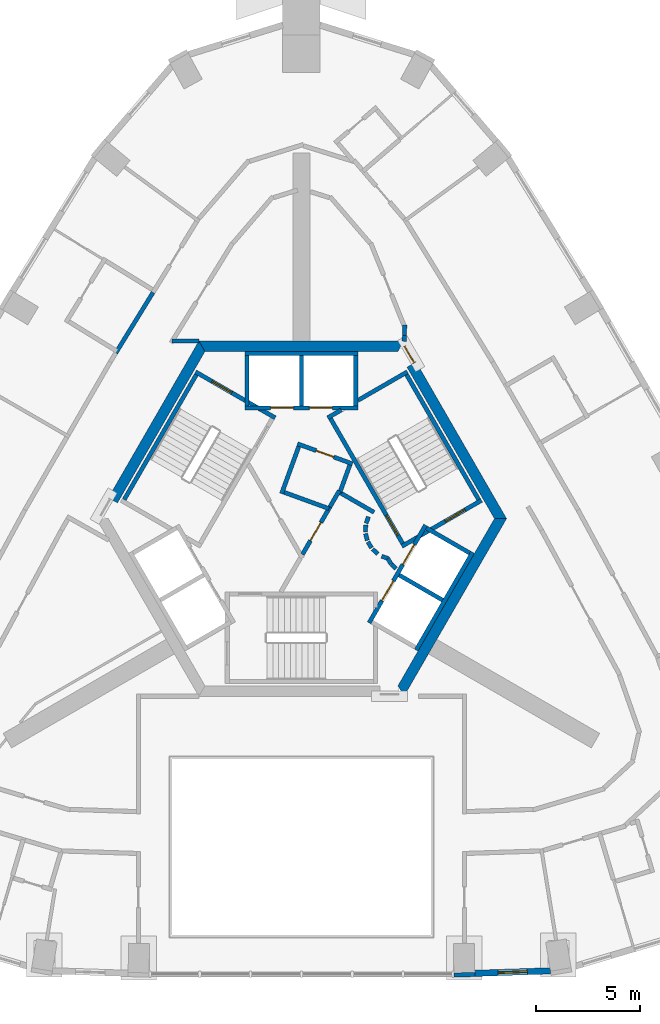
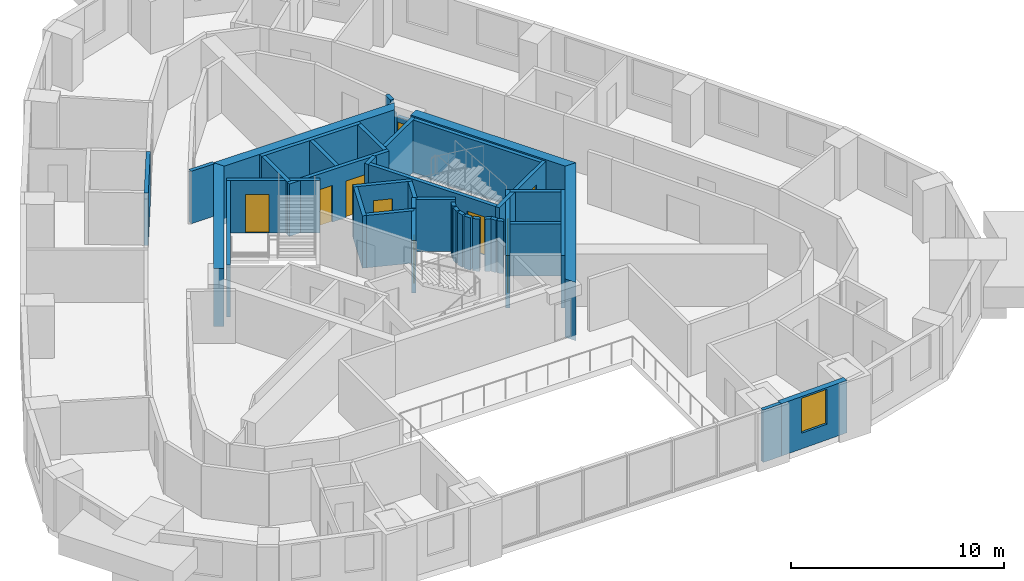
# One storey, part 5 of 10: 42 walls, 10 doors, 1 window, 11 openings.
"""IFC4 building model written with IfcOpenShell, lengths in metres."""

from ifc_helpers import new_model, si_unit, direction, frame, frame_2d, origin, place, context, subcontext, project, spatial, polyline, rectangle, outline, extrude, material, layer, layer_set, type_object, element, fill, save


model = new_model("IFC4")

# Units and contexts
model_context = context("Model", 3, precision=1e-05, world=origin(), true_north=direction((0.0, 1.0)))
body_context = subcontext(model_context, "Body", "Model", "MODEL_VIEW")
ifc_project = project(units=[si_unit("LENGTHUNIT", "METRE"), si_unit("AREAUNIT", "SQUARE_METRE"), si_unit("VOLUMEUNIT", "CUBIC_METRE"), si_unit("PLANEANGLEUNIT", "RADIAN"), si_unit("MASSUNIT", "GRAM", prefix="KILO")], contexts=[model_context])

# Site, building, storey
site_placement = place(None, origin())
site = spatial("IfcSite", under=ifc_project, at=site_placement, CompositionType="ELEMENT")
building_placement = place(site_placement, origin())
building = spatial("IfcBuilding", under=site, at=building_placement, Name="Entoto Arch Interchange Tower", CompositionType="ELEMENT")
storey_placement = place(building_placement, frame((0.0, 0.0, 322.39990234375)))
storey = spatial("IfcBuildingStorey", under=building, at=storey_placement, Name="L76", CompositionType="ELEMENT", Elevation=322.39990234375)

# Wall, opening, door
ifc_material_1 = material(Name="Reinforced concrete C40/50", Category="concrete")
ifc_layer_1 = layer(ifc_material_1, 0.199951171875)
ifc_layer_set_1 = layer_set([ifc_layer_1], Name="Reinforced concrete C40/50")
wall_type_1 = type_object("IfcWallType", Name="CORE GAP INFILL WALL", PredefinedType="PARTITIONING", material=ifc_layer_set_1)
wall_1_placement = place(storey_placement, frame((5.39892578125, 9.947998046875, 0.0), z_axis=(0.0, 0.0, 1.0), x_axis=(-0.499882215713, 0.866093395895, 0.0)))
wall_1 = element("IfcWall", 1, at=wall_1_placement, inside=storey, type_object=wall_type_1, Name="wall:L76:gap2", PredefinedType="PARTITIONING", context=body_context, shape_type="SweptSolid", body=[
    extrude(rectangle(XDim=0.926025390625, YDim=0.199951171875, at=frame_2d((0.462890625, 0.0))), origin(), (0.0, 0.0, 1.0), 2.400146484375),
])
opening_1_placement = place(wall_1_placement, frame((0.01708984375, 0.0, 0.0)))
opening_1 = element("IfcOpeningElement", 2, at=opening_1_placement, cuts=wall_1, Name="Opening L76-D92", PredefinedType="OPENING", context=body_context, shape_type="SweptSolid", body=[
    extrude(rectangle(XDim=0.89990234375, YDim=2.10009765625, at=frame_2d((0.449951171875, 1.050048828125))), frame((0.0, 0.10986328125, 0.0), z_axis=(0.0, -1.0, 0.0), x_axis=(1.0, 0.0, 0.0)), (0.0, 0.0, 1.0), 0.219970703125),
])
ifc_material_2 = material(Name="Fire-rated Steel S235 door and frame", Category="steel")
door_type_1 = type_object("IfcDoorType", Name="DOOR FD-09 900x2100", OperationType="SINGLE_SWING_LEFT", PredefinedType="DOOR", material=ifc_material_2)
door_1_placement = place(opening_1_placement, origin())
door_1 = element("IfcDoor", 3, at=door_1_placement, inside=storey, type_object=door_type_1, Name="door:L76:gap2", OperationType="SINGLE_SWING_LEFT", OverallHeight=2.10009765625, OverallWidth=0.89990234375, PredefinedType="DOOR", context=body_context, shape_type="SweptSolid", body=[
    extrude(rectangle(XDim=0.89990234375, YDim=2.10009765625, at=frame_2d((0.449951171875, 1.050048828125))), frame((0.0, 0.02490234375, 0.0), z_axis=(0.0, -1.0, 0.0), x_axis=(1.0, 0.0, 0.0)), (0.0, 0.0, 1.0), 0.050048828125),
])
fill(opening_1, door_1)

# Walls
ifc_material_3 = material(Name="Concrete C40/50", Category="concrete")
ifc_layer_2 = layer(ifc_material_3, 0.5)
ifc_layer_set_2 = layer_set([ifc_layer_2], Name="Concrete C40/50")
wall_type_2 = type_object("IfcWallType", Name="Core wall 500 C40/50", PredefinedType="SHEAR", material=ifc_layer_set_2)
wall_2_placement = place(storey_placement, frame((0.0, 0.0, -0.33984375)))
element("IfcWall", 4, at=wall_2_placement, inside=storey, type_object=wall_type_2, Name="Core wall NE L76", PredefinedType="SHEAR", context=body_context, shape_type="SweptSolid", body=[
    extrude(outline(polyline([(5.486083984375, 9.998046875), (5.052978515625, 9.748046875), (9.238037109375, 2.5), (9.81494140625, 2.5), (5.486083984375, 9.998046875)])), origin(), (0.0, 0.0, 1.0), 3.33984375),
])
wall_3_placement = place(storey_placement, frame((0.0, 0.0, -0.33984375)))
element("IfcWall", 5, at=wall_3_placement, inside=storey, type_object=wall_type_2, Name="Core wall N L76", PredefinedType="SHEAR", context=body_context, shape_type="SweptSolid", body=[
    extrude(outline(polyline([(4.906982421875, 11.0), (-4.906982421875, 11.0), (-4.618896484375, 10.5), (4.618896484375, 10.5), (4.906982421875, 11.0)])), origin(), (0.0, 0.0, 1.0), 3.33984375),
])
wall_4_placement = place(storey_placement, frame((0.0, 0.0, -0.33984375)))
element("IfcWall", 6, at=wall_4_placement, inside=storey, type_object=wall_type_2, Name="Core wall NW L76", PredefinedType="SHEAR", context=body_context, shape_type="SweptSolid", body=[
    extrude(outline(polyline([(-9.236083984375, 3.501953125), (-8.802978515625, 3.2529296875), (-4.618896484375, 10.5), (-4.906982421875, 11.0), (-9.236083984375, 3.501953125)])), origin(), (0.0, 0.0, 1.0), 3.33984375),
])
wall_5_placement = place(storey_placement, frame((0.0, 0.0, -0.33984375)))
element("IfcWall", 7, at=wall_5_placement, inside=storey, type_object=wall_type_2, Name="Core wall SE L76", PredefinedType="SHEAR", context=body_context, shape_type="SweptSolid", body=[
    extrude(outline(polyline([(4.906982421875, -6.0), (9.81494140625, 2.5), (9.238037109375, 2.5), (4.618896484375, -5.5), (4.906982421875, -6.0)])), origin(), (0.0, 0.0, 1.0), 3.33984375),
])

# Wall, openings, doors
ifc_layer_3 = layer(ifc_material_3, 0.199951171875)
ifc_layer_set_3 = layer_set([ifc_layer_3], Name="Concrete C40/50")
wall_type_3 = type_object("IfcWallType", Name="LIFT SHAFT WALL 200", PredefinedType="STANDARD", material=ifc_layer_set_3)
wall_6_placement = place(storey_placement, frame((2.699951171875, 7.800048828125, 0.0), z_axis=(0.0, 0.0, 1.0), x_axis=(-1.0, 0.0, 0.0)))
wall_6 = element("IfcWall", 8, at=wall_6_placement, inside=storey, type_object=wall_type_3, Name="Shaft wall N1 front", PredefinedType="STANDARD", context=body_context, shape_type="SweptSolid", body=[
    extrude(rectangle(XDim=5.39990234375, YDim=0.199951171875, at=frame_2d((2.699951171875, 0.0))), origin(), (0.0, 0.0, 1.0), 3.0),
])
opening_2_placement = place(wall_6_placement, frame((1.22509765625, 0.0, 0.0)))
opening_2 = element("IfcOpeningElement", 9, at=opening_2_placement, cuts=wall_6, Name="Opening LD-HR1-L76", PredefinedType="OPENING", context=body_context, shape_type="SweptSolid", body=[
    extrude(rectangle(XDim=1.10009765625, YDim=2.10009765625, at=frame_2d((0.550048828125, 1.050048828125))), frame((0.0, 0.10986328125, 0.0), z_axis=(0.0, -1.0, 0.0), x_axis=(1.0, 0.0, 0.0)), (0.0, 0.0, 1.0), 0.219970703125),
])
opening_3_placement = place(wall_6_placement, frame((3.074951171875, 0.0, 0.0)))
opening_3 = element("IfcOpeningElement", 10, at=opening_3_placement, cuts=wall_6, Name="Opening LD-HR2-L76", PredefinedType="OPENING", context=body_context, shape_type="SweptSolid", body=[
    extrude(rectangle(XDim=1.10009765625, YDim=2.10009765625, at=frame_2d((0.550048828125, 1.050048828125))), frame((0.0, 0.10986328125, 0.0), z_axis=(0.0, -1.0, 0.0), x_axis=(1.0, 0.0, 0.0)), (0.0, 0.0, 1.0), 0.219970703125),
])
ifc_material_4 = material(Name="Stainless steel 1.4301 panels", Category="steel")
door_type_2 = type_object("IfcDoorType", Name="LIFT LANDING DOOR LD1 1100x2100", OperationType="SLIDING_TO_LEFT", PredefinedType="DOOR", material=ifc_material_4)
door_2_placement = place(opening_2_placement, origin())
door_2 = element("IfcDoor", 11, at=door_2_placement, inside=storey, type_object=door_type_2, Name="Lift landing door HR1 L76", OperationType="SLIDING_TO_LEFT", OverallHeight=2.10009765625, OverallWidth=1.10009765625, PredefinedType="DOOR", context=body_context, shape_type="SweptSolid", body=[
    extrude(rectangle(XDim=1.10009765625, YDim=2.10009765625, at=frame_2d((0.550048828125, 1.050048828125))), frame((0.0, 0.02490234375, 0.0), z_axis=(0.0, -1.0, 0.0), x_axis=(1.0, 0.0, 0.0)), (0.0, 0.0, 1.0), 0.050048828125),
])
fill(opening_2, door_2)
door_3_placement = place(opening_3_placement, origin())
door_3 = element("IfcDoor", 12, at=door_3_placement, inside=storey, type_object=door_type_2, Name="Lift landing door HR2 L76", OperationType="SLIDING_TO_LEFT", OverallHeight=2.10009765625, OverallWidth=1.10009765625, PredefinedType="DOOR", context=body_context, shape_type="SweptSolid", body=[
    extrude(rectangle(XDim=1.10009765625, YDim=2.10009765625, at=frame_2d((0.550048828125, 1.050048828125))), frame((0.0, 0.02490234375, 0.0), z_axis=(0.0, -1.0, 0.0), x_axis=(1.0, 0.0, 0.0)), (0.0, 0.0, 1.0), 0.050048828125),
])
fill(opening_3, door_3)

# Walls
wall_7_placement = place(storey_placement, frame((2.699951171875, 10.39990234375, 0.0), z_axis=(0.0, 0.0, 1.0), x_axis=(-1.0, 0.0, 0.0)))
element("IfcWall", 13, at=wall_7_placement, inside=storey, type_object=wall_type_3, Name="Shaft wall N1 back", PredefinedType="STANDARD", context=body_context, shape_type="SweptSolid", body=[
    extrude(rectangle(XDim=5.39990234375, YDim=0.199951171875, at=frame_2d((2.699951171875, 0.0))), origin(), (0.0, 0.0, 1.0), 3.0),
])
for number, where, z_axis, x_axis, name in (
    (14, (2.60009765625, 7.89990234375, 0.0), (0.0, 0.0, 1.0), (0.0, 1.0, 0.0), "Shaft wall N1 cross 1"),
    (15, (0.0, 7.89990234375, 0.0), (0.0, 0.0, 1.0), (0.0, 1.0, 0.0), "Shaft wall N1 cross 2"),
    (16, (-2.60009765625, 7.89990234375, 0.0), (0.0, 0.0, 1.0), (0.0, 1.0, 0.0), "Shaft wall N1 cross 3"),
):
    element("IfcWall", number, at=place(storey_placement, frame(where, z_axis=z_axis, x_axis=x_axis)), inside=storey, type_object=wall_type_3, Name=name, PredefinedType="STANDARD", context=body_context, shape_type="SweptSolid", body=[
        extrude(rectangle(XDim=2.400146484375, YDim=0.199951171875, at=frame_2d((1.2001953125, 0.0))), origin(), (0.0, 0.0, 1.0), 3.0),
    ])

# Wall, openings, doors
wall_8_placement = place(storey_placement, frame((3.239990234375, -2.488037109375, 0.0), z_axis=(0.0, 0.0, 1.0), x_axis=(0.500034260056, 0.866005622828, 0.0)))
wall_8 = element("IfcWall", 17, at=wall_8_placement, inside=storey, type_object=wall_type_3, Name="Shaft wall SE1 front", PredefinedType="STANDARD", context=body_context, shape_type="SweptSolid", body=[
    extrude(rectangle(XDim=5.3994140625, YDim=0.199951171875, at=frame_2d((2.69970703125, 0.0))), origin(), (0.0, 0.0, 1.0), 3.0),
])
opening_4_placement = place(wall_8_placement, frame((3.22509765625, 0.0, 0.0)))
opening_4 = element("IfcOpeningElement", 18, at=opening_4_placement, cuts=wall_8, Name="Opening LD-HR3-L76", PredefinedType="OPENING", context=body_context, shape_type="SweptSolid", body=[
    extrude(rectangle(XDim=1.10009765625, YDim=2.10009765625, at=frame_2d((0.550048828125, 1.050048828125))), frame((0.0, 0.10986328125, 0.0), z_axis=(0.0, -1.0, 0.0), x_axis=(1.0, 0.0, 0.0)), (0.0, 0.0, 1.0), 0.219970703125),
])
opening_5_placement = place(wall_8_placement, frame((1.22509765625, 0.0, 0.0)))
opening_5 = element("IfcOpeningElement", 19, at=opening_5_placement, cuts=wall_8, Name="Opening LD-FF1-L76", PredefinedType="OPENING", context=body_context, shape_type="SweptSolid", body=[
    extrude(rectangle(XDim=1.10009765625, YDim=2.10009765625, at=frame_2d((0.550048828125, 1.050048828125))), frame((0.0, 0.10986328125, 0.0), z_axis=(0.0, -1.0, 0.0), x_axis=(1.0, 0.0, 0.0)), (0.0, 0.0, 1.0), 0.219970703125),
])
door_4_placement = place(opening_4_placement, origin())
door_4 = element("IfcDoor", 20, at=door_4_placement, inside=storey, type_object=door_type_2, Name="Lift landing door HR3 L76", OperationType="SLIDING_TO_LEFT", OverallHeight=2.10009765625, OverallWidth=1.10009765625, PredefinedType="DOOR", context=body_context, shape_type="SweptSolid", body=[
    extrude(rectangle(XDim=1.10009765625, YDim=2.10009765625, at=frame_2d((0.550048828125, 1.050048828125))), frame((0.0, 0.02490234375, 0.0), z_axis=(0.0, -1.0, 0.0), x_axis=(1.0, 0.0, 0.0)), (0.0, 0.0, 1.0), 0.050048828125),
])
fill(opening_4, door_4)
door_5_placement = place(opening_5_placement, origin())
door_5 = element("IfcDoor", 21, at=door_5_placement, inside=storey, type_object=door_type_2, Name="Lift landing door FF1 L76", OperationType="SLIDING_TO_LEFT", OverallHeight=2.10009765625, OverallWidth=1.10009765625, PredefinedType="DOOR", context=body_context, shape_type="SweptSolid", body=[
    extrude(rectangle(XDim=1.10009765625, YDim=2.10009765625, at=frame_2d((0.550048828125, 1.050048828125))), frame((0.0, 0.02490234375, 0.0), z_axis=(0.0, -1.0, 0.0), x_axis=(1.0, 0.0, 0.0)), (0.0, 0.0, 1.0), 0.050048828125),
])
fill(opening_5, door_5)

# Walls
wall_9_placement = place(storey_placement, frame((5.491943359375, -3.7880859375, 0.0), z_axis=(0.0, 0.0, 1.0), x_axis=(0.500034260056, 0.866005622828, 0.0)))
element("IfcWall", 22, at=wall_9_placement, inside=storey, type_object=wall_type_3, Name="Shaft wall SE1 back", PredefinedType="STANDARD", context=body_context, shape_type="SweptSolid", body=[
    extrude(rectangle(XDim=5.3994140625, YDim=0.199951171875, at=frame_2d((2.69970703125, 0.0))), origin(), (0.0, 0.0, 1.0), 3.0),
])
for number, where, z_axis, x_axis, name in (
    (23, (4.677001953125, -0.199951171875, 0.0), (0.0, 0.0, 1.0), (0.865973769406, -0.500089422704, 0.0), "Shaft wall SE1 cross 2"),
    (24, (5.97705078125, 2.052001953125, 0.0), (0.0, 0.0, 1.0), (0.865973769406, -0.500089422704, 0.0), "Shaft wall SE1 cross 3"),
):
    element("IfcWall", number, at=place(storey_placement, frame(where, z_axis=z_axis, x_axis=x_axis)), inside=storey, type_object=wall_type_3, Name=name, PredefinedType="STANDARD", context=body_context, shape_type="SweptSolid", body=[
        extrude(rectangle(XDim=2.3994140625, YDim=0.199951171875, at=frame_2d((1.19970703125, 0.0))), origin(), (0.0, 0.0, 1.0), 3.0),
    ])
ifc_material_5 = material(Name="Gypsum board partition on steel studs", Category="steel")
ifc_layer_4 = layer(ifc_material_5, 0.199951171875)
ifc_layer_set_4 = layer_set([ifc_layer_4], Name="Gypsum board partition on steel studs")
wall_type_4 = type_object("IfcWallType", Name="PARTITION 200", PredefinedType="PARTITIONING", material=ifc_layer_set_4)
wall_10_placement = place(storey_placement, frame((1.365966796875, 3.06591796875, 0.0), z_axis=(0.0, 0.0, 1.0), x_axis=(0.499698775601, 0.866199245938, 0.0)))
element("IfcWall", 25, at=wall_10_placement, inside=storey, type_object=wall_type_4, Name="wall:L76:p001", PredefinedType="PARTITIONING", context=body_context, shape_type="SweptSolid", body=[
    extrude(rectangle(XDim=0.892578125, YDim=0.199951171875, at=frame_2d((0.4462890625, 0.0))), origin(), (0.0, 0.0, 1.0), 3.0),
])
wall_11_placement = place(storey_placement, frame((1.837890625, 3.748046875, 0.0), z_axis=(0.0, 0.0, 1.0), x_axis=(0.341883255813, 0.939742432475, 0.0)))
element("IfcWall", 26, at=wall_11_placement, inside=storey, type_object=wall_type_4, Name="wall:L76:p002", PredefinedType="PARTITIONING", context=body_context, shape_type="SweptSolid", body=[
    extrude(rectangle(XDim=1.398193359375, YDim=0.199951171875, at=frame_2d((0.69921875, 0.0))), origin(), (0.0, 0.0, 1.0), 3.0),
])

# Wall, opening, door
wall_12_placement = place(storey_placement, frame((2.444091796875, 5.1220703125, 0.0), z_axis=(0.0, 0.0, 1.0), x_axis=(-0.939650782256, 0.342135071873, 0.0)))
wall_12 = element("IfcWall", 27, at=wall_12_placement, inside=storey, type_object=wall_type_4, Name="wall:L76:p003", PredefinedType="PARTITIONING", context=body_context, shape_type="SweptSolid", body=[
    extrude(rectangle(XDim=2.800048828125, YDim=0.199951171875, at=frame_2d((1.39990234375, 0.0))), origin(), (0.0, 0.0, 1.0), 3.0),
])
opening_6_placement = place(wall_12_placement, frame((0.949951171875, 0.0, 0.0)))
opening_6 = element("IfcOpeningElement", 28, at=opening_6_placement, cuts=wall_12, Name="Opening L76-D26", PredefinedType="OPENING", context=body_context, shape_type="SweptSolid", body=[
    extrude(rectangle(XDim=0.89990234375, YDim=2.10009765625, at=frame_2d((0.449951171875, 1.050048828125))), frame((0.0, 0.10986328125, 0.0), z_axis=(0.0, -1.0, 0.0), x_axis=(1.0, 0.0, 0.0)), (0.0, 0.0, 1.0), 0.219970703125),
])
ifc_material_6 = material(Name="Timber door leaf in Steel S235 frame", Category="steel")
door_type_3 = type_object("IfcDoorType", Name="DOOR DS-09 900x2100", OperationType="SINGLE_SWING_LEFT", PredefinedType="DOOR", material=ifc_material_6)
door_6_placement = place(opening_6_placement, origin())
door_6 = element("IfcDoor", 29, at=door_6_placement, inside=storey, type_object=door_type_3, Name="door:L76:26", OperationType="SINGLE_SWING_LEFT", OverallHeight=2.10009765625, OverallWidth=0.89990234375, PredefinedType="DOOR", context=body_context, shape_type="SweptSolid", body=[
    extrude(rectangle(XDim=0.89990234375, YDim=2.10009765625, at=frame_2d((0.449951171875, 1.050048828125))), frame((0.0, 0.02490234375, 0.0), z_axis=(0.0, -1.0, 0.0), x_axis=(1.0, 0.0, 0.0)), (0.0, 0.0, 1.0), 0.050048828125),
])
fill(opening_6, door_6)

# Walls
wall_13_placement = place(storey_placement, frame((-0.126953125, 5.951904296875, 0.0), z_axis=(0.0, 0.0, 1.0), x_axis=(-0.342012513308, -0.93969539785, 0.0)))
element("IfcWall", 30, at=wall_13_placement, inside=storey, type_object=wall_type_4, Name="wall:L76:p004", PredefinedType="PARTITIONING", context=body_context, shape_type="SweptSolid", body=[
    extrude(rectangle(XDim=2.400634765625, YDim=0.199951171875, at=frame_2d((1.2001953125, 0.0))), origin(), (0.0, 0.0, 1.0), 3.0),
])
wall_14_placement = place(storey_placement, frame((-0.820068359375, 3.756103515625, 0.0), z_axis=(0.0, 0.0, 1.0), x_axis=(0.939740098492, -0.34188967122, 0.0)))
element("IfcWall", 31, at=wall_14_placement, inside=storey, type_object=wall_type_4, Name="wall:L76:p005", PredefinedType="PARTITIONING", context=body_context, shape_type="SweptSolid", body=[
    extrude(rectangle(XDim=2.27294921875, YDim=0.199951171875, at=frame_2d((1.136474609375, 0.0))), origin(), (0.0, 0.0, 1.0), 3.0),
])
wall_15_placement = place(storey_placement, frame((4.916015625, 10.988037109375, 0.0), z_axis=(0.0, 0.0, 1.0), x_axis=(0.039066592023, 0.999236609311, 0.0)))
element("IfcWall", 32, at=wall_15_placement, inside=storey, type_object=wall_type_4, Name="wall:L76:p006", PredefinedType="PARTITIONING", context=body_context, shape_type="SweptSolid", body=[
    extrude(rectangle(XDim=0.28125, YDim=0.199951171875, at=frame_2d((0.140625, 0.0))), origin(), (0.0, 0.0, 1.0), 2.400146484375),
])
wall_16_placement = place(storey_placement, frame((-6.18310546875, 10.9990234375, 0.0), z_axis=(0.0, 0.0, 1.0), x_axis=(1.0, 0.0, 0.0)))
element("IfcWall", 33, at=wall_16_placement, inside=storey, type_object=wall_type_4, Name="wall:L76:p013", PredefinedType="PARTITIONING", context=body_context, shape_type="SweptSolid", body=[
    extrude(rectangle(XDim=1.275146484375, YDim=0.199951171875, at=frame_2d((0.6376953125, 0.0))), origin(), (0.0, 0.0, 1.0), 3.0),
])
wall_17_placement = place(storey_placement, frame((-8.883056640625, 10.427978515625, 0.0), z_axis=(0.0, 0.0, 1.0), x_axis=(0.524061371587, 0.851680502777, 0.0)))
element("IfcWall", 34, at=wall_17_placement, inside=storey, type_object=wall_type_4, Name="wall:L76:p048", PredefinedType="PARTITIONING", context=body_context, shape_type="SweptSolid", body=[
    extrude(rectangle(XDim=3.400390625, YDim=0.199951171875, at=frame_2d((1.7001953125, 0.0))), origin(), (0.0, 0.0, 1.0), 3.0),
])

# Wall, opening, door
wall_18_placement = place(storey_placement, frame((0.050048828125, 0.787109375, 0.0), z_axis=(0.0, 0.0, 1.0), x_axis=(0.500070457302, 0.865984721421, 0.0)))
wall_18 = element("IfcWall", 35, at=wall_18_placement, inside=storey, type_object=wall_type_4, Name="wall:L76:p058", PredefinedType="PARTITIONING", context=body_context, shape_type="SweptSolid", body=[
    extrude(rectangle(XDim=2.63134765625, YDim=0.199951171875, at=frame_2d((1.315673828125, 0.0))), origin(), (0.0, 0.0, 1.0), 3.0),
])
opening_7_placement = place(wall_18_placement, frame((0.76611328125, 0.0, 0.0)))
opening_7 = element("IfcOpeningElement", 36, at=opening_7_placement, cuts=wall_18, Name="Opening L76-D24", PredefinedType="OPENING", context=body_context, shape_type="SweptSolid", body=[
    extrude(rectangle(XDim=1.0, YDim=2.10009765625, at=frame_2d((0.5, 1.050048828125))), frame((0.0, 0.10986328125, 0.0), z_axis=(0.0, -1.0, 0.0), x_axis=(1.0, 0.0, 0.0)), (0.0, 0.0, 1.0), 0.219970703125),
])
door_type_4 = type_object("IfcDoorType", Name="DOOR FD-10 1000x2100", OperationType="SINGLE_SWING_LEFT", PredefinedType="DOOR", material=ifc_material_2)
door_7_placement = place(opening_7_placement, origin())
door_7 = element("IfcDoor", 37, at=door_7_placement, inside=storey, type_object=door_type_4, Name="door:L76:24", OperationType="SINGLE_SWING_RIGHT", OverallHeight=2.10009765625, OverallWidth=1.0, PredefinedType="DOOR", context=body_context, shape_type="SweptSolid", body=[
    extrude(rectangle(XDim=1.0, YDim=2.10009765625, at=frame_2d((0.5, 1.050048828125))), frame((0.0, 0.02490234375, 0.0), z_axis=(0.0, -1.0, 0.0), x_axis=(1.0, 0.0, 0.0)), (0.0, 0.0, 1.0), 0.050048828125),
])
fill(opening_7, door_7)

# Walls
wall_19_placement = place(storey_placement, frame((1.7509765625, 3.798095703125, 0.0), z_axis=(0.0, 0.0, 1.0), x_axis=(0.866091650241, -0.499885240213, 0.0)))
element("IfcWall", 38, at=wall_19_placement, inside=storey, type_object=wall_type_4, Name="wall:L76:p059", PredefinedType="PARTITIONING", context=body_context, shape_type="SweptSolid", body=[
    extrude(rectangle(XDim=1.99072265625, YDim=0.199951171875, at=frame_2d((0.995361328125, 0.0))), origin(), (0.0, 0.0, 1.0), 3.0),
])
wall_20_placement = place(storey_placement, frame((3.2080078125, 2.592041015625, 0.0), z_axis=(0.0, 0.0, 1.0), x_axis=(-0.337388820924, -0.941365382578, 0.0)))
element("IfcWall", 39, at=wall_20_placement, inside=storey, type_object=wall_type_4, Name="wall:L76:p060", PredefinedType="PARTITIONING", context=body_context, shape_type="SweptSolid", body=[
    extrude(rectangle(XDim=0.337890625, YDim=0.199951171875, at=frame_2d((0.1689453125, 0.0))), origin(), (0.0, 0.0, 1.0), 3.0),
])
wall_21_placement = place(storey_placement, frame((3.0791015625, 2.198974609375, 0.0), z_axis=(0.0, 0.0, 1.0), x_axis=(-0.047771483479, -0.998858290933, 0.0)))
element("IfcWall", 40, at=wall_21_placement, inside=storey, type_object=wall_type_4, Name="wall:L76:p061", PredefinedType="PARTITIONING", context=body_context, shape_type="SweptSolid", body=[
    extrude(rectangle(XDim=0.33740234375, YDim=0.199951171875, at=frame_2d((0.168701171875, 0.0))), origin(), (0.0, 0.0, 1.0), 3.0),
])
wall_22_placement = place(storey_placement, frame((3.070068359375, 1.785888671875, 0.0), z_axis=(0.0, 0.0, 1.0), x_axis=(0.242705583207, -0.970099994784, 0.0)))
element("IfcWall", 41, at=wall_22_placement, inside=storey, type_object=wall_type_4, Name="wall:L76:p062", PredefinedType="PARTITIONING", context=body_context, shape_type="SweptSolid", body=[
    extrude(rectangle(XDim=0.337890625, YDim=0.199951171875, at=frame_2d((0.1689453125, 0.0))), origin(), (0.0, 0.0, 1.0), 3.0),
])
for number, where, z_axis, x_axis, name in (
    (42, (3.181884765625, 1.387939453125, 0.0), (0.0, 0.0, 1.0), (0.512474702713, -0.85870232274, 0.0), "wall:L76:p063"),
    (43, (3.404052734375, 1.0390625, 0.0), (0.0, 0.0, 1.0), (0.740267097712, -0.672312891476, 0.0), "wall:L76:p064"),
):
    element("IfcWall", number, at=place(storey_placement, frame(where, z_axis=z_axis, x_axis=x_axis)), inside=storey, type_object=wall_type_4, Name=name, PredefinedType="PARTITIONING", context=body_context, shape_type="SweptSolid", body=[
        extrude(rectangle(XDim=0.337646484375, YDim=0.199951171875, at=frame_2d((0.1689453125, 0.0))), origin(), (0.0, 0.0, 1.0), 3.0),
    ])
wall_23_placement = place(storey_placement, frame((3.837890625, 0.701904296875, 0.0), z_axis=(0.0, 0.0, 1.0), x_axis=(0.941035081519, -0.338308993895, 0.0)))
element("IfcWall", 44, at=wall_23_placement, inside=storey, type_object=wall_type_4, Name="wall:L76:p065", PredefinedType="PARTITIONING", context=body_context, shape_type="SweptSolid", body=[
    extrude(rectangle(XDim=0.3369140625, YDim=0.199951171875, at=frame_2d((0.16845703125, 0.0))), origin(), (0.0, 0.0, 1.0), 3.0),
])
wall_24_placement = place(storey_placement, frame((4.132080078125, 0.593017578125, 0.0), z_axis=(0.0, 0.0, 1.0), x_axis=(0.513561617048, -0.858052717201, 0.0)))
element("IfcWall", 45, at=wall_24_placement, inside=storey, type_object=wall_type_4, Name="wall:L76:p066", PredefinedType="PARTITIONING", context=body_context, shape_type="SweptSolid", body=[
    extrude(rectangle(XDim=0.3076171875, YDim=0.199951171875, at=frame_2d((0.15380859375, 0.0))), origin(), (0.0, 0.0, 1.0), 3.0),
])
wall_25_placement = place(storey_placement, frame((4.301025390625, 0.31494140625, 0.0), z_axis=(0.0, 0.0, 1.0), x_axis=(0.741798017506, -0.670623367639, 0.0)))
element("IfcWall", 46, at=wall_25_placement, inside=storey, type_object=wall_type_4, Name="wall:L76:p067", PredefinedType="PARTITIONING", context=body_context, shape_type="SweptSolid", body=[
    extrude(rectangle(XDim=0.30859375, YDim=0.199951171875, at=frame_2d((0.154296875, 0.0))), origin(), (0.0, 0.0, 1.0), 3.0),
])
wall_26_placement = place(storey_placement, frame((4.927001953125, 11.26904296875, 0.0), z_axis=(0.0, 0.0, 1.0), x_axis=(0.038834659047, 0.999245650106, 0.0)))
element("IfcWall", 47, at=wall_26_placement, inside=storey, type_object=wall_type_4, Name="wall:L76:p006", PredefinedType="PARTITIONING", context=body_context, shape_type="SweptSolid", body=[
    extrude(rectangle(XDim=0.490478515625, YDim=0.199951171875, at=frame_2d((0.2451171875, 0.0))), origin(), (0.0, 0.0, 1.0), 3.0),
])

# Wall, opening, door
ifc_layer_5 = layer(ifc_material_3, 0.199951171875)
ifc_layer_set_5 = layer_set([ifc_layer_5], Name="Concrete C40/50")
wall_type_5 = type_object("IfcWallType", Name="STAIR ENCLOSURE WALL 200", PredefinedType="STANDARD", material=ifc_layer_set_5)
wall_27_placement = place(storey_placement, frame((4.805908203125, 1.176025390625, 0.0), z_axis=(0.0, 0.0, 1.0), x_axis=(0.866059941101, 0.499940174841, 0.0)))
wall_27 = element("IfcWall", 48, at=wall_27_placement, inside=storey, type_object=wall_type_5, Name="Stair wall ST-NE near", PredefinedType="STANDARD", context=body_context, shape_type="SweptSolid", body=[
    extrude(rectangle(XDim=4.400390625, YDim=0.199951171875, at=frame_2d((2.2001953125, 0.0))), origin(), (0.0, 0.0, 1.0), 3.0),
])
opening_8_placement = place(wall_27_placement, frame((2.39990234375, 0.0, 0.0)))
opening_8 = element("IfcOpeningElement", 49, at=opening_8_placement, cuts=wall_27, Name="Opening SD-ST-NE-L76-E", PredefinedType="OPENING", context=body_context, shape_type="SweptSolid", body=[
    extrude(rectangle(XDim=1.10009765625, YDim=2.199951171875, at=frame_2d((0.550048828125, 1.10009765625))), frame((0.0, 0.10986328125, 0.0), z_axis=(0.0, -1.0, 0.0), x_axis=(1.0, 0.0, 0.0)), (0.0, 0.0, 1.0), 0.219970703125),
])
ifc_material_7 = material(Name="Steel S235", Category="steel")
door_type_5 = type_object("IfcDoorType", Name="STAIR DOOR SD1 1100x2200", OperationType="SINGLE_SWING_LEFT", PredefinedType="DOOR", material=ifc_material_7)
door_8_placement = place(opening_8_placement, origin())
door_8 = element("IfcDoor", 50, at=door_8_placement, inside=storey, type_object=door_type_5, Name="Stair door ST-NE L76 end", OperationType="SINGLE_SWING_LEFT", OverallHeight=2.199951171875, OverallWidth=1.10009765625, PredefinedType="DOOR", context=body_context, shape_type="SweptSolid", body=[
    extrude(rectangle(XDim=1.10009765625, YDim=2.199951171875, at=frame_2d((0.550048828125, 1.10009765625))), frame((0.0, 0.02490234375, 0.0), z_axis=(0.0, -1.0, 0.0), x_axis=(1.0, 0.0, 0.0)), (0.0, 0.0, 1.0), 0.050048828125),
])
fill(opening_8, door_8)

# Walls
wall_28_placement = place(storey_placement, frame((2.699951171875, 8.157958984375, 0.0), z_axis=(0.0, 0.0, 1.0), x_axis=(0.86611865017, 0.499838457731, 0.0)))
element("IfcWall", 51, at=wall_28_placement, inside=storey, type_object=wall_type_5, Name="Stair wall ST-NE far", PredefinedType="STANDARD", context=body_context, shape_type="SweptSolid", body=[
    extrude(rectangle(XDim=2.73291015625, YDim=0.199951171875, at=frame_2d((1.366455078125, 0.0))), origin(), (0.0, 0.0, 1.0), 3.0),
])
wall_29_placement = place(storey_placement, frame((1.256103515625, 7.323974609375, 0.0), z_axis=(0.0, 0.0, 1.0), x_axis=(0.865915093549, 0.500191014278, 0.0)))
element("IfcWall", 52, at=wall_29_placement, inside=storey, type_object=wall_type_5, Name="Stair wall ST-NE far return", PredefinedType="STANDARD", context=body_context, shape_type="SweptSolid", body=[
    extrude(rectangle(XDim=0.751708984375, YDim=0.199951171875, at=frame_2d((0.3759765625, 0.0))), origin(), (0.0, 0.0, 1.0), 3.0),
])

# Wall, opening, door
wall_30_placement = place(storey_placement, frame((4.843017578125, 1.31201171875, 0.0), z_axis=(0.0, 0.0, 1.0), x_axis=(-0.499963383562, 0.866046543262, 0.0)))
wall_30 = element("IfcWall", 53, at=wall_30_placement, inside=storey, type_object=wall_type_5, Name="Stair wall ST-NE hall", PredefinedType="STANDARD", context=body_context, shape_type="SweptSolid", body=[
    extrude(rectangle(XDim=6.900390625, YDim=0.199951171875, at=frame_2d((3.4501953125, 0.0))), origin(), (0.0, 0.0, 1.0), 3.0),
])
opening_9_placement = place(wall_30_placement, frame((0.449951171875, 0.0, 0.0)))
opening_9 = element("IfcOpeningElement", 54, at=opening_9_placement, cuts=wall_30, Name="Opening SD-ST-NE-L76", PredefinedType="OPENING", context=body_context, shape_type="SweptSolid", body=[
    extrude(rectangle(XDim=1.10009765625, YDim=2.199951171875, at=frame_2d((0.550048828125, 1.10009765625))), frame((0.0, 0.10986328125, 0.0), z_axis=(0.0, -1.0, 0.0), x_axis=(1.0, 0.0, 0.0)), (0.0, 0.0, 1.0), 0.219970703125),
])
door_9_placement = place(opening_9_placement, origin())
door_9 = element("IfcDoor", 55, at=door_9_placement, inside=storey, type_object=door_type_5, Name="Stair door ST-NE L76", OperationType="SINGLE_SWING_LEFT", OverallHeight=2.199951171875, OverallWidth=1.10009765625, PredefinedType="DOOR", context=body_context, shape_type="SweptSolid", body=[
    extrude(rectangle(XDim=1.10009765625, YDim=2.199951171875, at=frame_2d((0.550048828125, 1.10009765625))), frame((0.0, 0.02490234375, 0.0), z_axis=(0.0, -1.0, 0.0), x_axis=(1.0, 0.0, 0.0)), (0.0, 0.0, 1.0), 0.050048828125),
])
fill(opening_9, door_9)

# Wall
wall_31_placement = place(storey_placement, frame((8.47998046875, 3.412109375, 0.0), z_axis=(0.0, 0.0, 1.0), x_axis=(-0.499978703459, 0.866037698999, 0.0)))
element("IfcWall", 56, at=wall_31_placement, inside=storey, type_object=wall_type_5, Name="Stair wall ST-NE back", PredefinedType="STANDARD", context=body_context, shape_type="SweptSolid", body=[
    extrude(rectangle(XDim=6.900146484375, YDim=0.199951171875, at=frame_2d((3.4501953125, 0.0))), origin(), (0.0, 0.0, 1.0), 3.0),
])

# Wall, opening, door
wall_32_placement = place(storey_placement, frame((-1.256103515625, 7.323974609375, 0.0), z_axis=(0.0, 0.0, 1.0), x_axis=(-0.866046073146, 0.499964197906, 0.0)))
wall_32 = element("IfcWall", 57, at=wall_32_placement, inside=storey, type_object=wall_type_5, Name="Stair wall ST-NW near", PredefinedType="STANDARD", context=body_context, shape_type="SweptSolid", body=[
    extrude(rectangle(XDim=4.400146484375, YDim=0.199951171875, at=frame_2d((2.2001953125, 0.0))), origin(), (0.0, 0.0, 1.0), 3.0),
])
opening_10_placement = place(wall_32_placement, frame((2.39990234375, 0.0, 0.0)))
opening_10 = element("IfcOpeningElement", 58, at=opening_10_placement, cuts=wall_32, Name="Opening SD-ST-NW-L76-E", PredefinedType="OPENING", context=body_context, shape_type="SweptSolid", body=[
    extrude(rectangle(XDim=1.10009765625, YDim=2.199951171875, at=frame_2d((0.550048828125, 1.10009765625))), frame((0.0, 0.10986328125, 0.0), z_axis=(0.0, -1.0, 0.0), x_axis=(1.0, 0.0, 0.0)), (0.0, 0.0, 1.0), 0.219970703125),
])
door_10_placement = place(opening_10_placement, origin())
door_10 = element("IfcDoor", 59, at=door_10_placement, inside=storey, type_object=door_type_5, Name="Stair door ST-NW L76 end", OperationType="SINGLE_SWING_LEFT", OverallHeight=2.199951171875, OverallWidth=1.10009765625, PredefinedType="DOOR", context=body_context, shape_type="SweptSolid", body=[
    extrude(rectangle(XDim=1.10009765625, YDim=2.199951171875, at=frame_2d((0.550048828125, 1.10009765625))), frame((0.0, 0.02490234375, 0.0), z_axis=(0.0, -1.0, 0.0), x_axis=(1.0, 0.0, 0.0)), (0.0, 0.0, 1.0), 0.050048828125),
])
fill(opening_10, door_10)

# Wall
wall_33_placement = place(storey_placement, frame((-5.030029296875, 9.387939453125, 0.0), z_axis=(0.0, 0.0, 1.0), x_axis=(-0.499978703459, -0.866037698999, 0.0)))
element("IfcWall", 60, at=wall_33_placement, inside=storey, type_object=wall_type_5, Name="Stair wall ST-NW back", PredefinedType="STANDARD", context=body_context, shape_type="SweptSolid", body=[
    extrude(rectangle(XDim=6.900146484375, YDim=0.199951171875, at=frame_2d((3.4501953125, 0.0))), origin(), (0.0, 0.0, 1.0), 3.0),
])

# Wall, opening, window
ifc_material_8 = material(Name="Welded tuff (ignimbrite) cladding, warm buff", Category="masonry")
ifc_layer_6 = layer(ifc_material_8, 0.300048828125)
ifc_layer_set_6 = layer_set([ifc_layer_6], Name="Welded tuff (ignimbrite) cladding, warm buff")
wall_type_6 = type_object("IfcWallType", Name="STONE INFILL WALL 300", PredefinedType="STANDARD", material=ifc_layer_set_6)
wall_34_placement = place(storey_placement, frame((8.2958984375, -19.260986328125, 0.0), z_axis=(0.0, 0.0, 1.0), x_axis=(0.999441913039, 0.033404527552, 0.0)))
wall_34 = element("IfcWall", 61, at=wall_34_placement, inside=storey, type_object=wall_type_6, Name="Facade wall S-03 L76", PredefinedType="STANDARD", context=body_context, shape_type="SweptSolid", body=[
    extrude(rectangle(XDim=3.625, YDim=0.300048828125, at=frame_2d((1.8125, 0.0))), origin(), (0.0, 0.0, 1.0), 3.0),
])
opening_11_placement = place(wall_34_placement, frame((1.113037109375, 0.0, 0.89990234375)))
opening_11 = element("IfcOpeningElement", 62, at=opening_11_placement, cuts=wall_34, Name="Opening WH-B", PredefinedType="OPENING", context=body_context, shape_type="SweptSolid", body=[
    extrude(rectangle(XDim=1.39990234375, YDim=2.0, at=frame_2d((0.699951171875, 1.0))), frame((0.0, 0.16015625, 0.0), z_axis=(0.0, -1.0, 0.0), x_axis=(1.0, 0.0, 0.0)), (0.0, 0.0, 1.0), 0.320068359375),
])
ifc_material_9 = material(Name="Clear glass, low-e double glazed", Category="glass")
window_type = type_object("IfcWindowType", Name="WINDOW WH-B 1400x2000", PartitioningType="DOUBLE_PANEL_VERTICAL", PredefinedType="WINDOW", material=ifc_material_9)
window_placement = place(opening_11_placement, origin())
window = element("IfcWindow", 63, at=window_placement, inside=storey, type_object=window_type, Name="Window WH-B S-03 L76", OverallHeight=2.0, OverallWidth=1.39990234375, PartitioningType="SINGLE_PANEL", PredefinedType="WINDOW", context=body_context, shape_type="SweptSolid", body=[
    extrude(rectangle(XDim=1.39990234375, YDim=2.0, at=frame_2d((0.699951171875, 1.0))), frame((0.0, 0.030029296875, 0.0), z_axis=(0.0, -1.0, 0.0), x_axis=(1.0, 0.0, 0.0)), (0.0, 0.0, 1.0), 0.06005859375),
])
fill(opening_11, window)

# Wall
ifc_layer_7 = layer(ifc_material_8, 0.199951171875)
ifc_layer_set_7 = layer_set([ifc_layer_7], Name="Welded tuff (ignimbrite) cladding, warm buff")
wall_type_7 = type_object("IfcWallType", Name="STONE PIER CLADDING 200", PredefinedType="STANDARD", material=ifc_layer_set_7)
wall_35_placement = place(storey_placement, frame((7.298095703125, -19.337890625, 0.0), z_axis=(0.0, 0.0, 1.0), x_axis=(0.999804524294, 0.019771525017, 0.0)))
element("IfcWall", 64, at=wall_35_placement, inside=storey, type_object=wall_type_7, Name="Stone pier S03 L76", PredefinedType="STANDARD", context=body_context, shape_type="SweptSolid", body=[
    extrude(rectangle(XDim=1.000244140625, YDim=0.199951171875, at=frame_2d((0.5, 0.0))), origin(), (0.0, 0.0, 1.0), 3.0),
])

save(model, "model.ifc")
